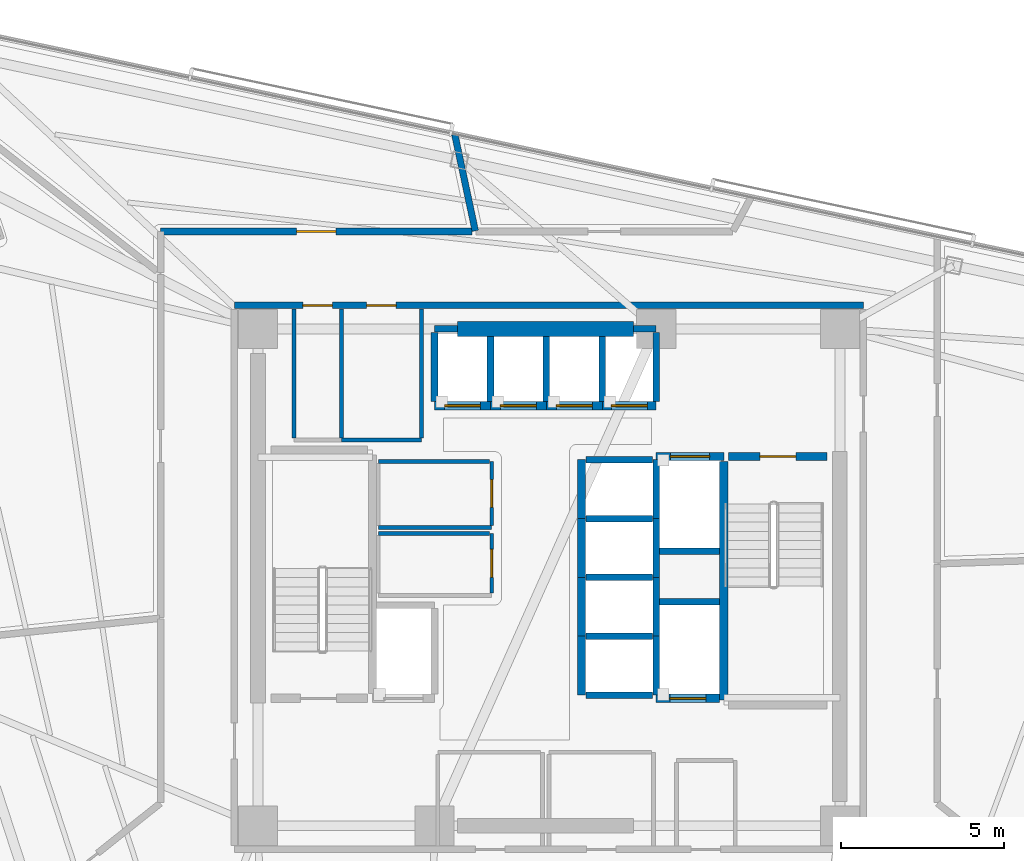
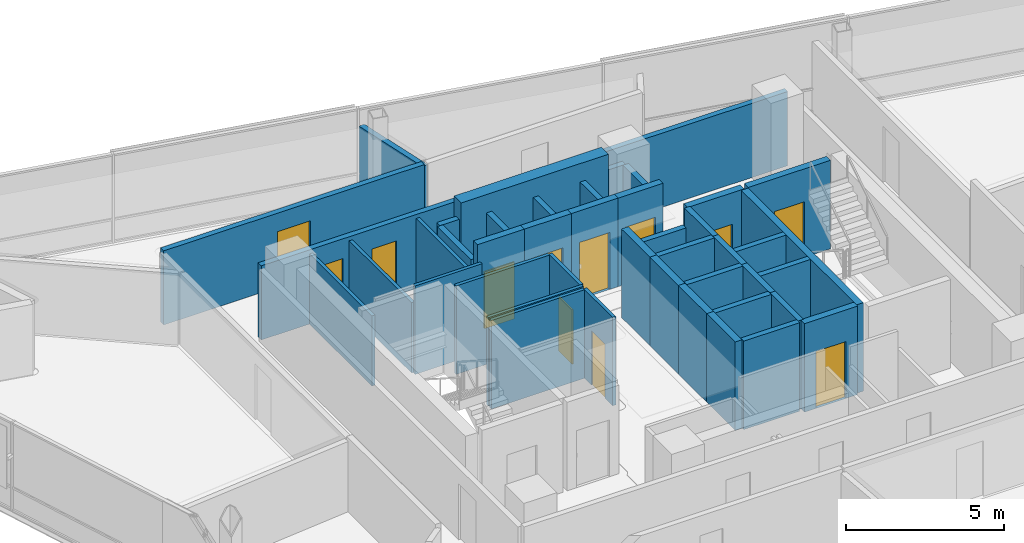
# One storey, part 11 of 17: 43 walls, 12 doors, 12 openings.
"""IFC4 building model written with IfcOpenShell, lengths in metres."""

from ifc_helpers import new_model, si_unit, direction, frame, frame_2d, origin, place, context, subcontext, project, spatial, rectangle, extrude, material, layer, layer_set, type_object, element, fill, save


model = new_model("IFC4")

# Units and contexts
model_context = context("Model", 3, precision=1e-05, world=origin(), true_north=direction((0.0, 1.0)))
body_context = subcontext(model_context, "Body", "Model", "MODEL_VIEW")
ifc_project = project(units=[si_unit("LENGTHUNIT", "METRE"), si_unit("AREAUNIT", "SQUARE_METRE"), si_unit("VOLUMEUNIT", "CUBIC_METRE"), si_unit("PLANEANGLEUNIT", "RADIAN"), si_unit("MASSUNIT", "GRAM", prefix="KILO")], contexts=[model_context])

# Site, building, storey
site_placement = place(None, origin())
site = spatial("IfcSite", under=ifc_project, at=site_placement, CompositionType="ELEMENT")
building_placement = place(site_placement, origin())
building = spatial("IfcBuilding", under=site, at=building_placement, Name="Tharavind Bronze Gate", CompositionType="ELEMENT")
storey_placement = place(building_placement, frame((0.0, 0.0, 204.050048828125)))
storey = spatial("IfcBuildingStorey", under=building, at=storey_placement, Name="L52", CompositionType="ELEMENT", Elevation=204.050048828125)

# Wall, openings, doors
ifc_material_1 = material(Name="Aerated Concrete Block", Category="concrete")
ifc_layer_1 = layer(ifc_material_1, 0.199951171875)
ifc_layer_set_1 = layer_set([ifc_layer_1], Name="Aerated Concrete Block")
wall_type_1 = type_object("IfcWallType", Name="FIRE RATED PARTITION 200", PredefinedType="PARTITIONING", material=ifc_layer_set_1)
wall_1_placement = place(storey_placement, frame((9.6201171875, 8.320068359375, 0.0), z_axis=(0.0, 0.0, 1.0), x_axis=(-1.0, 0.0, 0.0)))
wall_1 = element("IfcWall", 1, at=wall_1_placement, inside=storey, type_object=wall_type_1, Name="L52 north core corridor wall", PredefinedType="PARTITIONING", context=body_context, shape_type="SweptSolid", body=[
    extrude(rectangle(XDim=19.240234375, YDim=0.199951171875, at=frame_2d((9.6201171875, 0.0))), origin(), (0.0, 0.0, 1.0), 2.864990234375),
])
opening_1_placement = place(wall_1_placement, frame((16.2451171875, 0.0, 0.0)))
opening_1 = element("IfcOpeningElement", 2, at=opening_1_placement, cuts=wall_1, Name="Opening ID07", PredefinedType="OPENING", context=body_context, shape_type="SweptSolid", body=[
    extrude(rectangle(XDim=0.89990234375, YDim=2.10009765625, at=frame_2d((0.449951171875, 1.050048828125))), frame((0.0, 0.11009765625, 0.0), z_axis=(0.0, -1.0, 0.0), x_axis=(1.0, 0.0, 0.0)), (0.0, 0.0, 1.0), 0.219951171875),
])
opening_2_placement = place(wall_1_placement, frame((14.294921875, 0.0, 0.0)))
opening_2 = element("IfcOpeningElement", 3, at=opening_2_placement, cuts=wall_1, Name="Opening ID07", PredefinedType="OPENING", context=body_context, shape_type="SweptSolid", body=[
    extrude(rectangle(XDim=0.89990234375, YDim=2.10009765625, at=frame_2d((0.449951171875, 1.050048828125))), frame((0.0, 0.11009765625, 0.0), z_axis=(0.0, -1.0, 0.0), x_axis=(1.0, 0.0, 0.0)), (0.0, 0.0, 1.0), 0.219951171875),
])
ifc_material_2 = material(Name="Galvanised Fire Steel", Category="steel")
door_type_1 = type_object("IfcDoorType", Name="PLANT AND RISER FIRE DOOR 900X2100", OperationType="SINGLE_SWING_LEFT", PredefinedType="DOOR", material=ifc_material_2)
door_1_placement = place(opening_1_placement, frame((0.89990234375, 0.0, 0.0), z_axis=(0.0, 0.0, 1.0), x_axis=(-1.0, 0.0, 0.0)))
door_1 = element("IfcDoor", 4, at=door_1_placement, inside=storey, type_object=door_type_1, Name="L52 Battery Backup Cupboard fire door", OperationType="SINGLE_SWING_LEFT", OverallHeight=2.10009765625, OverallWidth=0.89990234375, PredefinedType="DOOR", context=body_context, shape_type="SweptSolid", body=[
    extrude(rectangle(XDim=0.89990234375, YDim=2.10009765625, at=frame_2d((0.449951171875, 1.050048828125))), frame((0.0, 0.02490234375, 0.0), z_axis=(0.0, -1.0, 0.0), x_axis=(1.0, 0.0, 0.0)), (0.0, 0.0, 1.0), 0.050048828125),
])
fill(opening_1, door_1)
door_2_placement = place(opening_2_placement, frame((0.89990234375, 0.0, 0.0), z_axis=(0.0, 0.0, 1.0), x_axis=(-1.0, 0.0, 0.0)))
door_2 = element("IfcDoor", 5, at=door_2_placement, inside=storey, type_object=door_type_1, Name="L52 Cleaner Store Room fire door", OperationType="SINGLE_SWING_LEFT", OverallHeight=2.10009765625, OverallWidth=0.89990234375, PredefinedType="DOOR", context=body_context, shape_type="SweptSolid", body=[
    extrude(rectangle(XDim=0.89990234375, YDim=2.10009765625, at=frame_2d((0.449951171875, 1.050048828125))), frame((0.0, 0.02490234375, 0.0), z_axis=(0.0, -1.0, 0.0), x_axis=(1.0, 0.0, 0.0)), (0.0, 0.0, 1.0), 0.050048828125),
])
fill(opening_2, door_2)

# Wall
wall_2_placement = place(storey_placement, frame((-2.253173828125, 10.599853515625, 0.0), z_axis=(0.0, 0.0, 1.0), x_axis=(-0.207886833255, 0.978152884042, 0.0)))
element("IfcWall", 6, at=wall_2_placement, inside=storey, type_object=wall_type_1, Name="L52 Venture Partners Office West partition", PredefinedType="PARTITIONING", context=body_context, shape_type="SweptSolid", body=[
    extrude(rectangle(XDim=3.015869140625, YDim=0.199951171875, at=frame_2d((1.5078125, 0.0))), origin(), (0.0, 0.0, 1.0), 2.71484375),
])

# Wall, opening, door
wall_3_placement = place(storey_placement, frame((-2.356201171875, 10.580078125, 0.0), z_axis=(0.0, 0.0, 1.0), x_axis=(-1.0, 0.0, 0.0)))
wall_3 = element("IfcWall", 7, at=wall_3_placement, inside=storey, type_object=wall_type_1, Name="L52 Pitch Arena Meeting Room partition", PredefinedType="PARTITIONING", context=body_context, shape_type="SweptSolid", body=[
    extrude(rectangle(XDim=9.523193359375, YDim=0.199951171875, at=frame_2d((4.76171875, 0.0))), origin(), (0.0, 0.0, 1.0), 2.864990234375),
])
opening_3_placement = place(wall_3_placement, frame((4.162109375, 0.0, 0.0)))
opening_3 = element("IfcOpeningElement", 8, at=opening_3_placement, cuts=wall_3, Name="Opening ID05", PredefinedType="OPENING", context=body_context, shape_type="SweptSolid", body=[
    extrude(rectangle(XDim=1.199951171875, YDim=2.14990234375, at=frame_2d((0.60009765625, 1.074951171875))), frame((0.0, 0.11009765625, 0.0), z_axis=(0.0, -1.0, 0.0), x_axis=(1.0, 0.0, 0.0)), (0.0, 0.0, 1.0), 0.219951171875),
])
ifc_material_3 = material(Name="Acoustic Laminated Glass", Category="glass")
door_type_2 = type_object("IfcDoorType", Name="MEETING ROOM GLAZED DOOR 1200X2150", OperationType="SINGLE_SWING_LEFT", PredefinedType="DOOR", material=ifc_material_3)
door_3_placement = place(opening_3_placement, origin())
door_3 = element("IfcDoor", 9, at=door_3_placement, inside=storey, type_object=door_type_2, Name="L52 Pitch Arena Meeting Room door", OperationType="SINGLE_SWING_LEFT", OverallHeight=2.14990234375, OverallWidth=1.199951171875, PredefinedType="DOOR", context=body_context, shape_type="SweptSolid", body=[
    extrude(rectangle(XDim=1.199951171875, YDim=2.14990234375, at=frame_2d((0.60009765625, 1.074951171875))), frame((0.0, 0.02490234375, 0.0), z_axis=(0.0, -1.0, 0.0), x_axis=(1.0, 0.0, 0.0)), (0.0, 0.0, 1.0), 0.050048828125),
])
fill(opening_3, door_3)

# Wall
ifc_material_4 = material(Name="Metal Stud Gypsum Partition", Category="gypsum")
ifc_layer_2 = layer(ifc_material_4, 0.1201171875)
ifc_layer_set_2 = layer_set([ifc_layer_2], Name="Metal Stud Gypsum Partition")
wall_type_2 = type_object("IfcWallType", Name="INTERIOR PARTITION WALL 120", PredefinedType="PARTITIONING", material=ifc_layer_set_2)
wall_4_placement = place(storey_placement, frame((-5.219970703125, 1.52001953125, 0.0), z_axis=(0.0, 0.0, 1.0), x_axis=(1.0, 0.0, 0.0)))
element("IfcWall", 10, at=wall_4_placement, inside=storey, type_object=wall_type_2, Name="L52 Cleaner Store Room partition 1", PredefinedType="PARTITIONING", context=body_context, shape_type="SweptSolid", body=[
    extrude(rectangle(XDim=3.469970703125, YDim=0.1201171875, at=frame_2d((1.73486328125, 0.0))), origin(), (0.0, 0.0, 1.0), 3.419921875),
])

# Wall, opening, door
wall_5_placement = place(storey_placement, frame((-1.75, 1.5849609375, 0.0), z_axis=(0.0, 0.0, 1.0), x_axis=(0.0, 1.0, 0.0)))
wall_5 = element("IfcWall", 11, at=wall_5_placement, inside=storey, type_object=wall_type_2, Name="L52 Cleaner Store Room partition 2", PredefinedType="PARTITIONING", context=body_context, shape_type="SweptSolid", body=[
    extrude(rectangle(XDim=1.965087890625, YDim=0.1201171875, at=frame_2d((0.982421875, 0.0))), origin(), (0.0, 0.0, 1.0), 3.419921875),
])
opening_4_placement = place(wall_5_placement, frame((0.556884765625, 0.0, 0.0)))
opening_4 = element("IfcOpeningElement", 12, at=opening_4_placement, cuts=wall_5, Name="Opening ID06", PredefinedType="OPENING", context=body_context, shape_type="SweptSolid", body=[
    extrude(rectangle(XDim=0.85009765625, YDim=2.10009765625, at=frame_2d((0.425048828125, 1.050048828125))), frame((0.0, 0.07005859375, 0.0), z_axis=(0.0, -1.0, 0.0), x_axis=(1.0, 0.0, 0.0)), (0.0, 0.0, 1.0), 0.1401171875),
])
ifc_material_5 = material(Name="Moisture-Resistant Timber", Category="wood")
door_type_3 = type_object("IfcDoorType", Name="BATHROOM PRIVACY DOOR 850X2100", OperationType="SINGLE_SWING_RIGHT", PredefinedType="DOOR", material=ifc_material_5)
door_4_placement = place(opening_4_placement, frame((0.85009765625, 0.0, 0.0), z_axis=(0.0, 0.0, 1.0), x_axis=(-1.0, 0.0, 0.0)))
door_4 = element("IfcDoor", 13, at=door_4_placement, inside=storey, type_object=door_type_3, Name="L52 Cleaner Store Room door", OperationType="SINGLE_SWING_RIGHT", OverallHeight=2.10009765625, OverallWidth=0.85009765625, PredefinedType="DOOR", context=body_context, shape_type="SweptSolid", body=[
    extrude(rectangle(XDim=0.85009765625, YDim=2.10009765625, at=frame_2d((0.425048828125, 1.050048828125))), frame((0.0, 0.02490234375, 0.0), z_axis=(0.0, -1.0, 0.0), x_axis=(1.0, 0.0, 0.0)), (0.0, 0.0, 1.0), 0.050048828125),
])
fill(opening_4, door_4)

# Wall
wall_6_placement = place(storey_placement, frame((-1.81494140625, 3.550048828125, 0.0), z_axis=(0.0, 0.0, 1.0), x_axis=(-1.0, 0.0, 0.0)))
element("IfcWall", 14, at=wall_6_placement, inside=storey, type_object=wall_type_2, Name="L52 Cleaner Store Room partition 3", PredefinedType="PARTITIONING", context=body_context, shape_type="SweptSolid", body=[
    extrude(rectangle(XDim=3.405029296875, YDim=0.1201171875, at=frame_2d((1.70263671875, 0.0))), origin(), (0.0, 0.0, 1.0), 3.419921875),
])

# Wall, opening, door
wall_7_placement = place(storey_placement, frame((-1.75, -0.485107421875, 0.0), z_axis=(0.0, 0.0, 1.0), x_axis=(0.0, 1.0, 0.0)))
wall_7 = element("IfcWall", 15, at=wall_7_placement, inside=storey, type_object=wall_type_2, Name="L52 Electrical Switch Room partition 2", PredefinedType="PARTITIONING", context=body_context, shape_type="SweptSolid", body=[
    extrude(rectangle(XDim=1.8251953125, YDim=0.1201171875, at=frame_2d((0.91259765625, 0.0))), origin(), (0.0, 0.0, 1.0), 3.419921875),
])
opening_5_placement = place(wall_7_placement, frame((0.488037109375, 0.0, 0.0)))
opening_5 = element("IfcOpeningElement", 16, at=opening_5_placement, cuts=wall_7, Name="Opening ID06", PredefinedType="OPENING", context=body_context, shape_type="SweptSolid", body=[
    extrude(rectangle(XDim=0.85009765625, YDim=2.10009765625, at=frame_2d((0.425048828125, 1.050048828125))), frame((0.0, 0.07005859375, 0.0), z_axis=(0.0, -1.0, 0.0), x_axis=(1.0, 0.0, 0.0)), (0.0, 0.0, 1.0), 0.1401171875),
])
door_5_placement = place(opening_5_placement, frame((0.85009765625, 0.0, 0.0), z_axis=(0.0, 0.0, 1.0), x_axis=(-1.0, 0.0, 0.0)))
door_5 = element("IfcDoor", 17, at=door_5_placement, inside=storey, type_object=door_type_3, Name="L52 Electrical Switch Room door", OperationType="SINGLE_SWING_RIGHT", OverallHeight=2.10009765625, OverallWidth=0.85009765625, PredefinedType="DOOR", context=body_context, shape_type="SweptSolid", body=[
    extrude(rectangle(XDim=0.85009765625, YDim=2.10009765625, at=frame_2d((0.425048828125, 1.050048828125))), frame((0.0, 0.02490234375, 0.0), z_axis=(0.0, -1.0, 0.0), x_axis=(1.0, 0.0, 0.0)), (0.0, 0.0, 1.0), 0.050048828125),
])
fill(opening_5, door_5)

# Walls
wall_8_placement = place(storey_placement, frame((-1.81494140625, 1.340087890625, 0.0), z_axis=(0.0, 0.0, 1.0), x_axis=(-1.0, 0.0, 0.0)))
element("IfcWall", 18, at=wall_8_placement, inside=storey, type_object=wall_type_2, Name="L52 Electrical Switch Room partition 3", PredefinedType="PARTITIONING", context=body_context, shape_type="SweptSolid", body=[
    extrude(rectangle(XDim=3.405029296875, YDim=0.1201171875, at=frame_2d((1.70263671875, 0.0))), origin(), (0.0, 0.0, 1.0), 3.419921875),
])
for number, where, z_axis, x_axis, name in (
    (19, (-6.35009765625, 4.264892578125, 0.0), (0.0, 0.0, 1.0), (0.0, 1.0, 0.0), "L52 Battery Backup Cupboard partition 2"),
    (20, (-7.800048828125, 8.215087890625, 0.0), (0.0, 0.0, 1.0), (0.0, -1.0, 0.0), "L52 Battery Backup Cupboard partition 4"),
):
    element("IfcWall", number, at=place(storey_placement, frame(where, z_axis=z_axis, x_axis=x_axis)), inside=storey, type_object=wall_type_2, Name=name, PredefinedType="PARTITIONING", context=body_context, shape_type="SweptSolid", body=[
        extrude(rectangle(XDim=3.9501953125, YDim=0.1201171875, at=frame_2d((1.97509765625, 0.0))), origin(), (0.0, 0.0, 1.0), 2.71484375),
    ])
wall_9_placement = place(storey_placement, frame((-6.35009765625, 4.199951171875, 0.0), z_axis=(0.0, 0.0, 1.0), x_axis=(1.0, 0.0, 0.0)))
element("IfcWall", 21, at=wall_9_placement, inside=storey, type_object=wall_type_2, Name="L52 Cleaner Store Room partition 1", PredefinedType="PARTITIONING", context=body_context, shape_type="SweptSolid", body=[
    extrude(rectangle(XDim=2.4501953125, YDim=0.1201171875, at=frame_2d((1.22509765625, 0.0))), origin(), (0.0, 0.0, 1.0), 3.419921875),
])
wall_10_placement = place(storey_placement, frame((-3.89990234375, 4.264892578125, 0.0), z_axis=(0.0, 0.0, 1.0), x_axis=(0.0, 1.0, 0.0)))
element("IfcWall", 22, at=wall_10_placement, inside=storey, type_object=wall_type_2, Name="L52 Cleaner Store Room partition 2", PredefinedType="PARTITIONING", context=body_context, shape_type="SweptSolid", body=[
    extrude(rectangle(XDim=3.9501953125, YDim=0.1201171875, at=frame_2d((1.97509765625, 0.0))), origin(), (0.0, 0.0, 1.0), 2.71484375),
])
ifc_material_6 = material(Name="Concrete C50/60", Category="concrete")
ifc_layer_3 = layer(ifc_material_6, 0.25)
ifc_layer_set_3 = layer_set([ifc_layer_3], Name="Concrete C50/60")
wall_type_3 = type_object("IfcWallType", Name="RC CORE SHEAR WALL 250", PredefinedType="SHEAR", material=ifc_layer_set_3)
wall_11_placement = place(storey_placement, frame((5.35009765625, -3.75, 0.0), z_axis=(0.0, 0.0, 1.0), x_axis=(0.0, 1.0, 0.0)))
element("IfcWall", 23, at=wall_11_placement, inside=storey, type_object=wall_type_3, Name="L52 ST2 shaft west wall", PredefinedType="SHEAR", context=body_context, shape_type="SweptSolid", body=[
    extrude(rectangle(XDim=7.300048828125, YDim=0.25, at=frame_2d((3.64990234375, 0.0))), origin(), (0.0, 0.0, 1.0), 3.419921875),
])

# Wall, opening, door
wall_12_placement = place(storey_placement, frame((5.5, 3.699951171875, 0.0), z_axis=(0.0, 0.0, 1.0), x_axis=(1.0, 0.0, 0.0)))
wall_12 = element("IfcWall", 24, at=wall_12_placement, inside=storey, type_object=wall_type_3, Name="L52 ST2 shaft north wall", PredefinedType="SHEAR", context=body_context, shape_type="SweptSolid", body=[
    extrude(rectangle(XDim=3.0, YDim=0.25, at=frame_2d((1.5, 0.0))), origin(), (0.0, 0.0, 1.0), 3.419921875),
])
opening_6_placement = place(wall_12_placement, frame((0.949951171875, 0.0, 0.0)))
opening_6 = element("IfcOpeningElement", 25, at=opening_6_placement, cuts=wall_12, Name="Opening ID01", PredefinedType="OPENING", context=body_context, shape_type="SweptSolid", body=[
    extrude(rectangle(XDim=1.10009765625, YDim=2.14990234375, at=frame_2d((0.550048828125, 1.074951171875))), frame((0.0, 0.135, 0.0), z_axis=(0.0, -1.0, 0.0), x_axis=(1.0, 0.0, 0.0)), (0.0, 0.0, 1.0), 0.27),
])
ifc_material_7 = material(Name="Fire-Rated Steel", Category="steel")
door_type_4 = type_object("IfcDoorType", Name="STAIR CORE FIRE DOOR 1100X2150", OperationType="SINGLE_SWING_LEFT", PredefinedType="DOOR", material=ifc_material_7)
door_6_placement = place(opening_6_placement, frame((1.10009765625, 0.0, 0.0), z_axis=(0.0, 0.0, 1.0), x_axis=(-1.0, 0.0, 0.0)))
door_6 = element("IfcDoor", 26, at=door_6_placement, inside=storey, type_object=door_type_4, Name="L52 exit stair ST2 fire door", OperationType="SINGLE_SWING_LEFT", OverallHeight=2.14990234375, OverallWidth=1.10009765625, PredefinedType="DOOR", context=body_context, shape_type="SweptSolid", body=[
    extrude(rectangle(XDim=1.10009765625, YDim=2.14990234375, at=frame_2d((0.550048828125, 1.074951171875))), frame((0.0, 0.02490234375, 0.0), z_axis=(0.0, -1.0, 0.0), x_axis=(1.0, 0.0, 0.0)), (0.0, 0.0, 1.0), 0.050048828125),
])
fill(opening_6, door_6)

wall_13_placement = place(storey_placement, frame((-3.5, 5.25, 0.0), z_axis=(0.0, 0.0, 1.0), x_axis=(1.0, 0.0, 0.0)))
wall_13 = element("IfcWall", 27, at=wall_13_placement, inside=storey, type_object=wall_type_3, Name="L52 lift PL5 shaft front wall", PredefinedType="SHEAR", context=body_context, shape_type="SweptSolid", body=[
    extrude(rectangle(XDim=1.71240234375, YDim=0.25, at=frame_2d((0.856201171875, 0.0))), origin(), (0.0, 0.0, 1.0), 3.419921875),
])
opening_7_placement = place(wall_13_placement, frame((0.305908203125, 0.0, 0.0)))
opening_7 = element("IfcOpeningElement", 28, at=opening_7_placement, cuts=wall_13, Name="Opening LD01", PredefinedType="OPENING", context=body_context, shape_type="SweptSolid", body=[
    extrude(rectangle(XDim=1.10009765625, YDim=2.199951171875, at=frame_2d((0.550048828125, 1.10009765625))), frame((0.0, 0.135, 0.0), z_axis=(0.0, -1.0, 0.0), x_axis=(1.0, 0.0, 0.0)), (0.0, 0.0, 1.0), 0.27),
])
ifc_material_8 = material(Name="Brushed Bronze Stainless Steel", Category="steel")
door_type_5 = type_object("IfcDoorType", Name="LIFT LANDING SLIDING DOOR 1100X2200", OperationType="SLIDING_TO_LEFT", PredefinedType="DOOR", material=ifc_material_8)
door_7_placement = place(opening_7_placement, origin())
door_7 = element("IfcDoor", 29, at=door_7_placement, inside=storey, type_object=door_type_5, Name="L52 lift PL5 sliding landing door", OperationType="SLIDING_TO_LEFT", OverallHeight=2.199951171875, OverallWidth=1.10009765625, PredefinedType="DOOR", context=body_context, shape_type="SweptSolid", body=[
    extrude(rectangle(XDim=1.10009765625, YDim=2.199951171875, at=frame_2d((0.550048828125, 1.10009765625))), frame((0.0, 0.02490234375, 0.0), z_axis=(0.0, -1.0, 0.0), x_axis=(1.0, 0.0, 0.0)), (0.0, 0.0, 1.0), 0.050048828125),
])
fill(opening_7, door_7)

wall_14_placement = place(storey_placement, frame((-1.78759765625, 5.25, 0.0), z_axis=(0.0, 0.0, 1.0), x_axis=(1.0, 0.0, 0.0)))
wall_14 = element("IfcWall", 30, at=wall_14_placement, inside=storey, type_object=wall_type_3, Name="L52 lift PL6 shaft front wall", PredefinedType="SHEAR", context=body_context, shape_type="SweptSolid", body=[
    extrude(rectangle(XDim=1.712646484375, YDim=0.25, at=frame_2d((0.8564453125, 0.0))), origin(), (0.0, 0.0, 1.0), 3.419921875),
])
opening_8_placement = place(wall_14_placement, frame((0.305908203125, 0.0, 0.0)))
opening_8 = element("IfcOpeningElement", 31, at=opening_8_placement, cuts=wall_14, Name="Opening LD01", PredefinedType="OPENING", context=body_context, shape_type="SweptSolid", body=[
    extrude(rectangle(XDim=1.10009765625, YDim=2.199951171875, at=frame_2d((0.550048828125, 1.10009765625))), frame((0.0, 0.135, 0.0), z_axis=(0.0, -1.0, 0.0), x_axis=(1.0, 0.0, 0.0)), (0.0, 0.0, 1.0), 0.27),
])
door_8_placement = place(opening_8_placement, origin())
door_8 = element("IfcDoor", 32, at=door_8_placement, inside=storey, type_object=door_type_5, Name="L52 lift PL6 sliding landing door", OperationType="SLIDING_TO_LEFT", OverallHeight=2.199951171875, OverallWidth=1.10009765625, PredefinedType="DOOR", context=body_context, shape_type="SweptSolid", body=[
    extrude(rectangle(XDim=1.10009765625, YDim=2.199951171875, at=frame_2d((0.550048828125, 1.10009765625))), frame((0.0, 0.02490234375, 0.0), z_axis=(0.0, -1.0, 0.0), x_axis=(1.0, 0.0, 0.0)), (0.0, 0.0, 1.0), 0.050048828125),
])
fill(opening_8, door_8)

wall_15_placement = place(storey_placement, frame((-0.074951171875, 5.25, 0.0), z_axis=(0.0, 0.0, 1.0), x_axis=(1.0, 0.0, 0.0)))
wall_15 = element("IfcWall", 33, at=wall_15_placement, inside=storey, type_object=wall_type_3, Name="L52 lift PL7 shaft front wall", PredefinedType="SHEAR", context=body_context, shape_type="SweptSolid", body=[
    extrude(rectangle(XDim=1.71240234375, YDim=0.25, at=frame_2d((0.856201171875, 0.0))), origin(), (0.0, 0.0, 1.0), 3.419921875),
])
opening_9_placement = place(wall_15_placement, frame((0.305908203125, 0.0, 0.0)))
opening_9 = element("IfcOpeningElement", 34, at=opening_9_placement, cuts=wall_15, Name="Opening LD01", PredefinedType="OPENING", context=body_context, shape_type="SweptSolid", body=[
    extrude(rectangle(XDim=1.10009765625, YDim=2.199951171875, at=frame_2d((0.550048828125, 1.10009765625))), frame((0.0, 0.135, 0.0), z_axis=(0.0, -1.0, 0.0), x_axis=(1.0, 0.0, 0.0)), (0.0, 0.0, 1.0), 0.27),
])
door_9_placement = place(opening_9_placement, origin())
door_9 = element("IfcDoor", 35, at=door_9_placement, inside=storey, type_object=door_type_5, Name="L52 lift PL7 sliding landing door", OperationType="SLIDING_TO_LEFT", OverallHeight=2.199951171875, OverallWidth=1.10009765625, PredefinedType="DOOR", context=body_context, shape_type="SweptSolid", body=[
    extrude(rectangle(XDim=1.10009765625, YDim=2.199951171875, at=frame_2d((0.550048828125, 1.10009765625))), frame((0.0, 0.02490234375, 0.0), z_axis=(0.0, -1.0, 0.0), x_axis=(1.0, 0.0, 0.0)), (0.0, 0.0, 1.0), 0.050048828125),
])
fill(opening_9, door_9)

wall_16_placement = place(storey_placement, frame((1.637451171875, 5.25, 0.0), z_axis=(0.0, 0.0, 1.0), x_axis=(1.0, 0.0, 0.0)))
wall_16 = element("IfcWall", 36, at=wall_16_placement, inside=storey, type_object=wall_type_3, Name="L52 lift PL8 shaft front wall", PredefinedType="SHEAR", context=body_context, shape_type="SweptSolid", body=[
    extrude(rectangle(XDim=1.642578125, YDim=0.25, at=frame_2d((0.8212890625, 0.0))), origin(), (0.0, 0.0, 1.0), 3.419921875),
])
opening_10_placement = place(wall_16_placement, frame((0.27099609375, 0.0, 0.0)))
opening_10 = element("IfcOpeningElement", 37, at=opening_10_placement, cuts=wall_16, Name="Opening LD01", PredefinedType="OPENING", context=body_context, shape_type="SweptSolid", body=[
    extrude(rectangle(XDim=1.10009765625, YDim=2.199951171875, at=frame_2d((0.550048828125, 1.10009765625))), frame((0.0, 0.135, 0.0), z_axis=(0.0, -1.0, 0.0), x_axis=(1.0, 0.0, 0.0)), (0.0, 0.0, 1.0), 0.27),
])
door_10_placement = place(opening_10_placement, origin())
door_10 = element("IfcDoor", 38, at=door_10_placement, inside=storey, type_object=door_type_5, Name="L52 lift PL8 sliding landing door", OperationType="SLIDING_TO_LEFT", OverallHeight=2.199951171875, OverallWidth=1.10009765625, PredefinedType="DOOR", context=body_context, shape_type="SweptSolid", body=[
    extrude(rectangle(XDim=1.10009765625, YDim=2.199951171875, at=frame_2d((0.550048828125, 1.10009765625))), frame((0.0, 0.02490234375, 0.0), z_axis=(0.0, -1.0, 0.0), x_axis=(1.0, 0.0, 0.0)), (0.0, 0.0, 1.0), 0.050048828125),
])
fill(opening_10, door_10)

# Walls
for number, where, z_axis, x_axis, name in (
    (39, (1.0, -3.60009765625, 0.0), (0.0, 0.0, 1.0), (0.0, 1.0, 0.0), "L52 lift PL9 shaft front wall"),
    (40, (1.0, -1.800048828125, 0.0), (0.0, 0.0, 1.0), (0.0, 1.0, 0.0), "L52 lift PL10 shaft front wall"),
    (41, (1.0, 0.0, 0.0), (0.0, 0.0, 1.0), (0.0, 1.0, 0.0), "L52 lift PL11 shaft front wall"),
    (42, (1.0, 1.800048828125, 0.0), (0.0, 0.0, 1.0), (0.0, 1.0, 0.0), "L52 lift PL12 shaft front wall"),
):
    element("IfcWall", number, at=place(storey_placement, frame(where, z_axis=z_axis, x_axis=x_axis)), inside=storey, type_object=wall_type_3, Name=name, PredefinedType="SHEAR", context=body_context, shape_type="SweptSolid", body=[
        extrude(rectangle(XDim=1.800048828125, YDim=0.25, at=frame_2d((0.89990234375, 0.0))), origin(), (0.0, 0.0, 1.0), 3.419921875),
    ])

# Wall, opening, door
wall_17_placement = place(storey_placement, frame((3.280029296875, 3.699951171875, 0.0), z_axis=(0.0, 0.0, 1.0), x_axis=(1.0, 0.0, 0.0)))
wall_17 = element("IfcWall", 43, at=wall_17_placement, inside=storey, type_object=wall_type_3, Name="L52 lift FFL2 shaft front wall", PredefinedType="SHEAR", context=body_context, shape_type="SweptSolid", body=[
    extrude(rectangle(XDim=2.070068359375, YDim=0.25, at=frame_2d((1.03515625, 0.0))), origin(), (0.0, 0.0, 1.0), 3.419921875),
])
opening_11_placement = place(wall_17_placement, frame((0.43505859375, 0.0, 0.0)))
opening_11 = element("IfcOpeningElement", 44, at=opening_11_placement, cuts=wall_17, Name="Opening LD02", PredefinedType="OPENING", context=body_context, shape_type="SweptSolid", body=[
    extrude(rectangle(XDim=1.199951171875, YDim=2.199951171875, at=frame_2d((0.60009765625, 1.10009765625))), frame((0.0, 0.135, 0.0), z_axis=(0.0, -1.0, 0.0), x_axis=(1.0, 0.0, 0.0)), (0.0, 0.0, 1.0), 0.27),
])
ifc_material_9 = material(Name="Brushed Stainless Steel", Category="steel")
door_type_6 = type_object("IfcDoorType", Name="FIREFIGHTING LIFT LANDING DOOR 1200X2200", OperationType="SLIDING_TO_RIGHT", PredefinedType="DOOR", material=ifc_material_9)
door_11_placement = place(opening_11_placement, origin())
door_11 = element("IfcDoor", 45, at=door_11_placement, inside=storey, type_object=door_type_6, Name="L52 lift FFL2 sliding landing door", OperationType="SLIDING_TO_RIGHT", OverallHeight=2.199951171875, OverallWidth=1.199951171875, PredefinedType="DOOR", context=body_context, shape_type="SweptSolid", body=[
    extrude(rectangle(XDim=1.199951171875, YDim=2.199951171875, at=frame_2d((0.60009765625, 1.10009765625))), frame((0.0, 0.02490234375, 0.0), z_axis=(0.0, -1.0, 0.0), x_axis=(1.0, 0.0, 0.0)), (0.0, 0.0, 1.0), 0.050048828125),
])
fill(opening_11, door_11)

wall_18_placement = place(storey_placement, frame((3.280029296875, -3.699951171875, 0.0), z_axis=(0.0, 0.0, 1.0), x_axis=(1.0, 0.0, 0.0)))
wall_18 = element("IfcWall", 46, at=wall_18_placement, inside=storey, type_object=wall_type_3, Name="L52 lift SVL1 shaft front wall", PredefinedType="SHEAR", context=body_context, shape_type="SweptSolid", body=[
    extrude(rectangle(XDim=1.93994140625, YDim=0.25, at=frame_2d((0.969970703125, 0.0))), origin(), (0.0, 0.0, 1.0), 3.419921875),
])
opening_12_placement = place(wall_18_placement, frame((0.419921875, 0.0, 0.0)))
opening_12 = element("IfcOpeningElement", 47, at=opening_12_placement, cuts=wall_18, Name="Opening LD01", PredefinedType="OPENING", context=body_context, shape_type="SweptSolid", body=[
    extrude(rectangle(XDim=1.10009765625, YDim=2.199951171875, at=frame_2d((0.550048828125, 1.10009765625))), frame((0.0, 0.135, 0.0), z_axis=(0.0, -1.0, 0.0), x_axis=(1.0, 0.0, 0.0)), (0.0, 0.0, 1.0), 0.27),
])
door_12_placement = place(opening_12_placement, origin())
door_12 = element("IfcDoor", 48, at=door_12_placement, inside=storey, type_object=door_type_5, Name="L52 lift SVL1 sliding landing door", OperationType="SLIDING_TO_LEFT", OverallHeight=2.199951171875, OverallWidth=1.10009765625, PredefinedType="DOOR", context=body_context, shape_type="SweptSolid", body=[
    extrude(rectangle(XDim=1.10009765625, YDim=2.199951171875, at=frame_2d((0.550048828125, 1.10009765625))), frame((0.0, 0.02490234375, 0.0), z_axis=(0.0, -1.0, 0.0), x_axis=(1.0, 0.0, 0.0)), (0.0, 0.0, 1.0), 0.050048828125),
])
fill(opening_12, door_12)

# Walls
ifc_material_10 = material(Name="Concrete C60/75", Category="concrete")
ifc_layer_4 = layer(ifc_material_10, 0.449951171875)
ifc_layer_set_4 = layer_set([ifc_layer_4], Name="Concrete C60/75")
wall_type_4 = type_object("IfcWallType", Name="RC CORE SHEAR WALL 450", PredefinedType="SHEAR", material=ifc_layer_set_4)
wall_19_placement = place(storey_placement, frame((-2.800048828125, 7.60009765625, 0.0), z_axis=(0.0, 0.0, 1.0), x_axis=(1.0, 0.0, 0.0)))
element("IfcWall", 49, at=wall_19_placement, inside=storey, type_object=wall_type_4, Name="L52 north core shear wall", PredefinedType="SHEAR", context=body_context, shape_type="SweptSolid", body=[
    extrude(rectangle(XDim=5.380126953125, YDim=0.449951171875, at=frame_2d((2.68994140625, 0.0))), origin(), (0.0, 0.0, 1.0), 3.419921875),
])
ifc_material_11 = material(Name="Concrete C40/50", Category="concrete")
ifc_layer_5 = layer(ifc_material_11, 0.199951171875)
ifc_layer_set_5 = layer_set([ifc_layer_5], Name="Concrete C40/50")
wall_type_5 = type_object("IfcWallType", Name="SHAFT ENCLOSURE WALL 200", PredefinedType="PARTITIONING", material=ifc_layer_set_5)
wall_20_placement = place(storey_placement, frame((-3.5, 7.60009765625, 0.0), z_axis=(0.0, 0.0, 1.0), x_axis=(1.0, 0.0, 0.0)))
element("IfcWall", 50, at=wall_20_placement, inside=storey, type_object=wall_type_5, Name="L52 lift PL5 shaft N enclosure wall", PredefinedType="PARTITIONING", context=body_context, shape_type="SweptSolid", body=[
    extrude(rectangle(XDim=0.699951171875, YDim=0.199951171875, at=frame_2d((0.35009765625, 0.0))), origin(), (0.0, 0.0, 1.0), 2.71484375),
])
wall_21_placement = place(storey_placement, frame((-3.5, 5.3798828125, 0.0), z_axis=(0.0, 0.0, 1.0), x_axis=(0.0, 1.0, 0.0)))
element("IfcWall", 51, at=wall_21_placement, inside=storey, type_object=wall_type_5, Name="L52 lift PL5 shaft W enclosure wall", PredefinedType="PARTITIONING", context=body_context, shape_type="SweptSolid", body=[
    extrude(rectangle(XDim=2.115234375, YDim=0.199951171875, at=frame_2d((1.0576171875, 0.0))), origin(), (0.0, 0.0, 1.0), 2.71484375),
])
for number, where, z_axis, x_axis, name in (
    (52, (-1.78759765625, 5.3798828125, 0.0), (0.0, 0.0, 1.0), (0.0, 1.0, 0.0), "L52 lift PL5 shaft E enclosure wall"),
    (53, (-0.074951171875, 5.3798828125, 0.0), (0.0, 0.0, 1.0), (0.0, 1.0, 0.0), "L52 lift PL6 shaft E enclosure wall"),
    (54, (1.637451171875, 5.3798828125, 0.0), (0.0, 0.0, 1.0), (0.0, 1.0, 0.0), "L52 lift PL7 shaft E enclosure wall"),
):
    element("IfcWall", number, at=place(storey_placement, frame(where, z_axis=z_axis, x_axis=x_axis)), inside=storey, type_object=wall_type_5, Name=name, PredefinedType="PARTITIONING", context=body_context, shape_type="SweptSolid", body=[
        extrude(rectangle(XDim=1.990234375, YDim=0.199951171875, at=frame_2d((0.9951171875, 0.0))), origin(), (0.0, 0.0, 1.0), 2.71484375),
    ])
wall_22_placement = place(storey_placement, frame((2.580078125, 7.60009765625, 0.0), z_axis=(0.0, 0.0, 1.0), x_axis=(1.0, 0.0, 0.0)))
element("IfcWall", 55, at=wall_22_placement, inside=storey, type_object=wall_type_5, Name="L52 lift PL8 shaft N enclosure wall", PredefinedType="PARTITIONING", context=body_context, shape_type="SweptSolid", body=[
    extrude(rectangle(XDim=0.699951171875, YDim=0.199951171875, at=frame_2d((0.35009765625, 0.0))), origin(), (0.0, 0.0, 1.0), 2.71484375),
])
wall_23_placement = place(storey_placement, frame((3.280029296875, 5.3798828125, 0.0), z_axis=(0.0, 0.0, 1.0), x_axis=(0.0, 1.0, 0.0)))
element("IfcWall", 56, at=wall_23_placement, inside=storey, type_object=wall_type_5, Name="L52 lift PL8 shaft E enclosure wall", PredefinedType="PARTITIONING", context=body_context, shape_type="SweptSolid", body=[
    extrude(rectangle(XDim=2.115234375, YDim=0.199951171875, at=frame_2d((1.0576171875, 0.0))), origin(), (0.0, 0.0, 1.0), 2.71484375),
])
wall_24_placement = place(storey_placement, frame((3.280029296875, -3.60009765625, 0.0), z_axis=(0.0, 0.0, 1.0), x_axis=(0.0, 1.0, 0.0)))
element("IfcWall", 57, at=wall_24_placement, inside=storey, type_object=wall_type_5, Name="L52 lift PL9 shaft E enclosure wall", PredefinedType="PARTITIONING", context=body_context, shape_type="SweptSolid", body=[
    extrude(rectangle(XDim=1.800048828125, YDim=0.199951171875, at=frame_2d((0.89990234375, 0.0))), origin(), (0.0, 0.0, 1.0), 3.419921875),
])
for number, where, z_axis, x_axis, name in (
    (58, (1.1298828125, -3.60009765625, 0.0), (0.0, 0.0, 1.0), (1.0, 0.0, 0.0), "L52 lift PL9 shaft S enclosure wall"),
    (59, (1.1298828125, -1.800048828125, 0.0), (0.0, 0.0, 1.0), (1.0, 0.0, 0.0), "L52 lift PL9 shaft N enclosure wall"),
):
    element("IfcWall", number, at=place(storey_placement, frame(where, z_axis=z_axis, x_axis=x_axis)), inside=storey, type_object=wall_type_5, Name=name, PredefinedType="PARTITIONING", context=body_context, shape_type="SweptSolid", body=[
        extrude(rectangle(XDim=2.045166015625, YDim=0.199951171875, at=frame_2d((1.0224609375, 0.0))), origin(), (0.0, 0.0, 1.0), 3.419921875),
    ])
wall_25_placement = place(storey_placement, frame((3.280029296875, -1.800048828125, 0.0), z_axis=(0.0, 0.0, 1.0), x_axis=(0.0, 1.0, 0.0)))
element("IfcWall", 60, at=wall_25_placement, inside=storey, type_object=wall_type_5, Name="L52 lift PL10 shaft E enclosure wall", PredefinedType="PARTITIONING", context=body_context, shape_type="SweptSolid", body=[
    extrude(rectangle(XDim=1.800048828125, YDim=0.199951171875, at=frame_2d((0.89990234375, 0.0))), origin(), (0.0, 0.0, 1.0), 3.419921875),
])
wall_26_placement = place(storey_placement, frame((1.1298828125, 0.0, 0.0), z_axis=(0.0, 0.0, 1.0), x_axis=(1.0, 0.0, 0.0)))
element("IfcWall", 61, at=wall_26_placement, inside=storey, type_object=wall_type_5, Name="L52 lift PL10 shaft N enclosure wall", PredefinedType="PARTITIONING", context=body_context, shape_type="SweptSolid", body=[
    extrude(rectangle(XDim=2.045166015625, YDim=0.199951171875, at=frame_2d((1.0224609375, 0.0))), origin(), (0.0, 0.0, 1.0), 3.419921875),
])
wall_27_placement = place(storey_placement, frame((3.280029296875, 0.0, 0.0), z_axis=(0.0, 0.0, 1.0), x_axis=(0.0, 1.0, 0.0)))
element("IfcWall", 62, at=wall_27_placement, inside=storey, type_object=wall_type_5, Name="L52 lift PL11 shaft E enclosure wall", PredefinedType="PARTITIONING", context=body_context, shape_type="SweptSolid", body=[
    extrude(rectangle(XDim=1.800048828125, YDim=0.199951171875, at=frame_2d((0.89990234375, 0.0))), origin(), (0.0, 0.0, 1.0), 3.419921875),
])
wall_28_placement = place(storey_placement, frame((1.1298828125, 1.800048828125, 0.0), z_axis=(0.0, 0.0, 1.0), x_axis=(1.0, 0.0, 0.0)))
element("IfcWall", 63, at=wall_28_placement, inside=storey, type_object=wall_type_5, Name="L52 lift PL11 shaft N enclosure wall", PredefinedType="PARTITIONING", context=body_context, shape_type="SweptSolid", body=[
    extrude(rectangle(XDim=2.045166015625, YDim=0.199951171875, at=frame_2d((1.0224609375, 0.0))), origin(), (0.0, 0.0, 1.0), 3.419921875),
])
wall_29_placement = place(storey_placement, frame((3.280029296875, 1.800048828125, 0.0), z_axis=(0.0, 0.0, 1.0), x_axis=(0.0, 1.0, 0.0)))
element("IfcWall", 64, at=wall_29_placement, inside=storey, type_object=wall_type_5, Name="L52 lift PL12 shaft E enclosure wall", PredefinedType="PARTITIONING", context=body_context, shape_type="SweptSolid", body=[
    extrude(rectangle(XDim=1.800048828125, YDim=0.199951171875, at=frame_2d((0.89990234375, 0.0))), origin(), (0.0, 0.0, 1.0), 3.419921875),
])
wall_30_placement = place(storey_placement, frame((1.1298828125, 3.60009765625, 0.0), z_axis=(0.0, 0.0, 1.0), x_axis=(1.0, 0.0, 0.0)))
element("IfcWall", 65, at=wall_30_placement, inside=storey, type_object=wall_type_5, Name="L52 lift PL12 shaft N enclosure wall", PredefinedType="PARTITIONING", context=body_context, shape_type="SweptSolid", body=[
    extrude(rectangle(XDim=2.045166015625, YDim=0.199951171875, at=frame_2d((1.0224609375, 0.0))), origin(), (0.0, 0.0, 1.0), 2.71484375),
])
for number, where, z_axis, x_axis, name in (
    (66, (3.385009765625, 0.800048828125, 0.0), (0.0, 0.0, 1.0), (1.0, 0.0, 0.0), "L52 lift FFL2 shaft S enclosure wall"),
    (67, (3.385009765625, -0.75, 0.0), (0.0, 0.0, 1.0), (1.0, 0.0, 0.0), "L52 lift SVL1 shaft N enclosure wall"),
):
    element("IfcWall", number, at=place(storey_placement, frame(where, z_axis=z_axis, x_axis=x_axis)), inside=storey, type_object=wall_type_5, Name=name, PredefinedType="PARTITIONING", context=body_context, shape_type="SweptSolid", body=[
        extrude(rectangle(XDim=1.8349609375, YDim=0.199951171875, at=frame_2d((0.91748046875, 0.0))), origin(), (0.0, 0.0, 1.0), 3.419921875),
    ])

save(model, "model.ifc")
